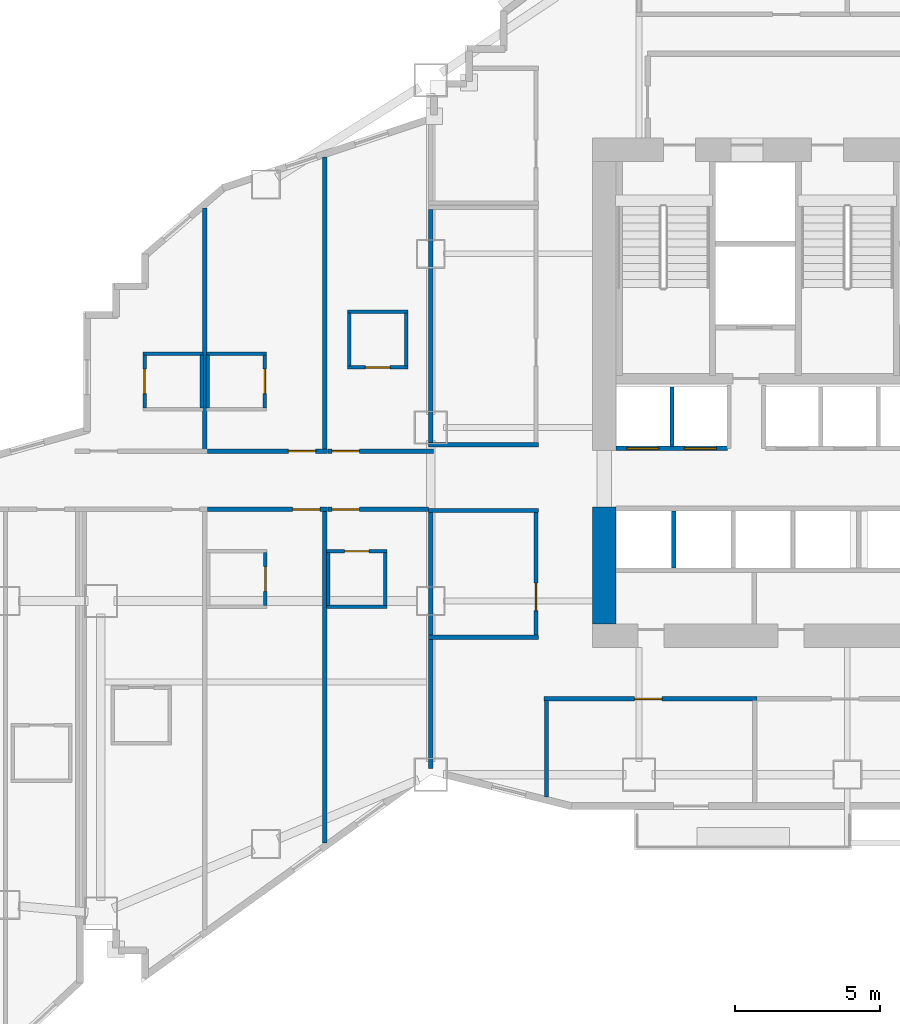
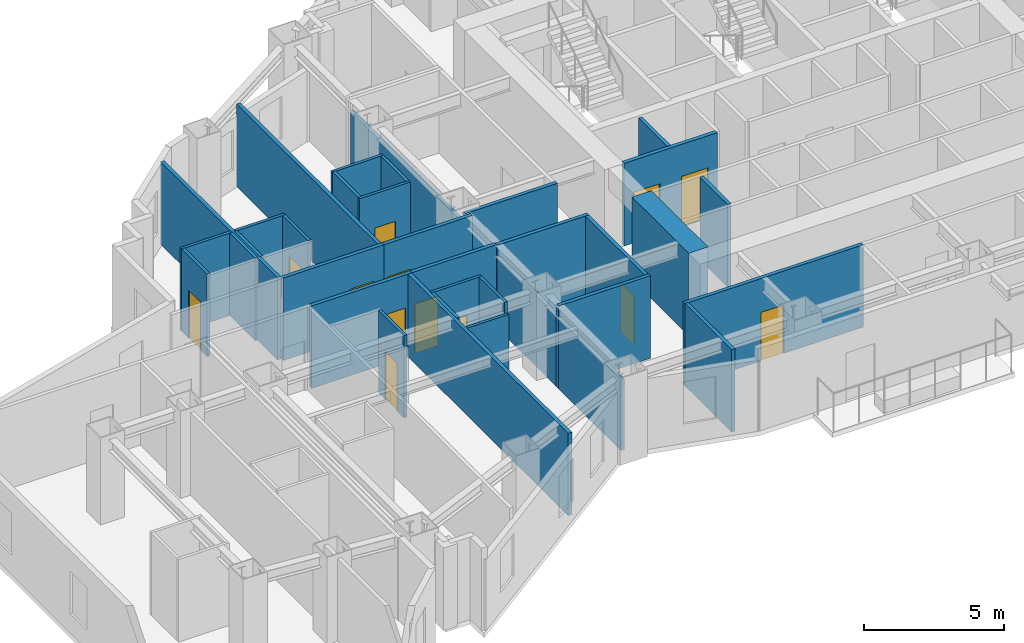
# One storey, part 8 of 16: 35 walls, 13 doors, 13 openings.
"""IFC4 building model written with IfcOpenShell, lengths in metres."""

import ifcopenshell
import ifcopenshell.guid

model = None  # the IFC model being written
_history = None  # IfcOwnerHistory: only IFC2X3 demands one
_inside = {}  # id of a spatial element -> (the spatial element, [elements in it])
_under = {}  # id of a project, library or spatial element -> (it, [spatial elements below it])
_declared = {}  # id of a project -> (the project, [libraries it declares])
_typed = {}  # id of a type object -> (the type object, [elements of that type])
_made_of = {}  # id of a material, layer set ... -> (it, [elements and type objects made of it])


def new_model(schema):
    """Start an empty IFC model of exactly this schema.

    Asked for "IFC4X3", IfcOpenShell would pick the latest addendum, in which some entities
    have other attributes; the version numbers below select the first issue.
    IFC2X3 requires an IfcOwnerHistory on every rooted entity: one is made here for all.
    """
    global model, _history
    if schema == "IFC4X3":
        model = ifcopenshell.file(schema_version=(4, 3, 0, 0))
    else:
        model = ifcopenshell.file(schema=schema)
    _inside.clear()
    _under.clear()
    _declared.clear()
    _typed.clear()
    _made_of.clear()
    _history = None
    if model.schema == "IFC2X3":
        org = make("IfcOrganization", Name="unknown")
        user = make(
            "IfcPersonAndOrganization",
            ThePerson=make("IfcPerson", FamilyName="unknown"),
            TheOrganization=org,
        )
        app = make(
            "IfcApplication",
            ApplicationDeveloper=org,
            Version="unknown",
            ApplicationFullName="unknown",
            ApplicationIdentifier="unknown",
        )
        _history = make(
            "IfcOwnerHistory",
            OwningUser=user,
            OwningApplication=app,
            ChangeAction="ADDED",
            CreationDate=0,
        )
    return model


def make(cls, **values):
    """One entity of the class cls with the attributes given. An attribute that is None is left unset."""
    return model.create_entity(
        cls, **{name: value for name, value in values.items() if value is not None}
    )


def rooted(cls, **values):
    """An entity with a GlobalId (a new one), such as an element, a storey or a relation."""
    return make(cls, GlobalId=ifcopenshell.guid.new(), OwnerHistory=_history, **values)


def si_unit(unit_type, name, prefix=None):
    """IfcSIUnit, for example si_unit("LENGTHUNIT", "METRE", prefix="MILLI")."""
    return make("IfcSIUnit", UnitType=unit_type, Prefix=prefix, Name=name)


def assignment(units):
    """IfcUnitAssignment: the units of a project."""
    return None if units is None else make("IfcUnitAssignment", Units=units)


def point(xyz):
    """IfcCartesianPoint."""
    return None if xyz is None else make("IfcCartesianPoint", Coordinates=xyz)


def direction(xyz):
    """IfcDirection."""
    return None if xyz is None else make("IfcDirection", DirectionRatios=xyz)


def frame(location, z_axis=None, x_axis=None):
    """IfcAxis2Placement3D, a coordinate frame: its origin and axes. An axis left out is left unset."""
    return make(
        "IfcAxis2Placement3D",
        Location=point(location),
        Axis=direction(z_axis),
        RefDirection=direction(x_axis),
    )


def frame_2d(location, x_axis=None):
    """IfcAxis2Placement2D, a coordinate frame in the plane: its origin and x axis."""
    return make(
        "IfcAxis2Placement2D", Location=point(location), RefDirection=direction(x_axis)
    )


def origin():
    """The frame at (0, 0, 0) with its axes left unset."""
    return frame((0.0, 0.0, 0.0))


def place(relative_to, where):
    """IfcLocalPlacement: puts the frame where relative to a parent placement (None: the world)."""
    return make(
        "IfcLocalPlacement", PlacementRelTo=relative_to, RelativePlacement=where
    )


def context(
    kind, dimensions, precision=None, world=None, true_north=None, identifier=None
):
    """IfcGeometricRepresentationContext, for example the 3D "Model" context."""
    return make(
        "IfcGeometricRepresentationContext",
        ContextIdentifier=identifier,
        ContextType=kind,
        CoordinateSpaceDimension=dimensions,
        Precision=precision,
        WorldCoordinateSystem=world,
        TrueNorth=true_north,
    )


def subcontext(parent, identifier, kind, view, scale=None):
    """IfcGeometricRepresentationSubContext, for example "Body" below "Model"."""
    return make(
        "IfcGeometricRepresentationSubContext",
        ContextIdentifier=identifier,
        ContextType=kind,
        ParentContext=parent,
        TargetScale=scale,
        TargetView=view,
    )


def project(units=None, contexts=None):
    """IfcProject with its units and contexts."""
    return rooted(
        "IfcProject",
        Name="project",
        RepresentationContexts=contexts,
        UnitsInContext=assignment(units),
    )


def spatial(cls, under=None, at=None, **own):
    """A site, building, storey or space (cls), placed at a placement, below another one or the project."""
    s = rooted(cls, ObjectPlacement=at, **own)
    if under is not None:
        _under.setdefault(under.id(), (under, []))[1].append(s)
    return s


def profile(cls, at=None, kind="AREA", **sizes):
    """A parametric profile (cls). Its sizes go by their IFC names, for example OverallWidth=200.0."""
    return make(cls, ProfileType=kind, Position=at, **sizes)


def rectangle(**sizes):
    """IfcRectangleProfileDef."""
    return profile("IfcRectangleProfileDef", **sizes)


def extrude(swept, where, along, depth):
    """IfcExtrudedAreaSolid: the profile swept, set in the frame where, extruded along a direction by depth."""
    return make(
        "IfcExtrudedAreaSolid",
        SweptArea=swept,
        Position=where,
        ExtrudedDirection=direction(along),
        Depth=depth,
    )


def shape(context_of_items, identifier, shape_type, items):
    """IfcShapeRepresentation: the items that make up one representation, for example the "Body"."""
    return make(
        "IfcShapeRepresentation",
        ContextOfItems=context_of_items,
        RepresentationIdentifier=identifier,
        RepresentationType=shape_type,
        Items=items,
    )


def material(Name=None, Category=None):
    """IfcMaterial."""
    return make("IfcMaterial", Name=Name, Category=Category)


def layer(
    of_material, thickness, ventilated=None, Name=None, Category=None, Priority=None
):
    """IfcMaterialLayer: one layer of a wall or slab, of a material (None: an air gap)."""
    return make(
        "IfcMaterialLayer",
        Material=of_material,
        LayerThickness=thickness,
        IsVentilated=ventilated,
        Name=Name,
        Category=Category,
        Priority=Priority,
    )


def layer_set(layers, Name=None):
    """IfcMaterialLayerSet."""
    return make("IfcMaterialLayerSet", MaterialLayers=layers, LayerSetName=Name)


def made_of(thing, what):
    """Note that an element or type object is made of a material, layer set ...; save() writes the relation."""
    if what is not None:
        _made_of.setdefault(what.id(), (what, []))[1].append(thing)
    return thing


def type_object(cls, material=None, **own):
    """A type object (cls), such as IfcWallType, which elements share."""
    return made_of(rooted(cls, **own), material)


def element(
    cls,
    number,
    at=None,
    inside=None,
    cuts=None,
    type_object=None,
    material=None,
    context=None,
    identifier="Body",
    shape_type=None,
    held_by="IfcProductDefinitionShape",
    body=None,
    shapes=None,
    **own,
):
    """One element of the class cls, such as IfcWall. Its Tag is "e" and its number.

    at: its placement. inside: the storey or other place that contains it. cuts: it is an
    opening in that element (IfcRelVoidsElement). A single representation is given by context,
    identifier, shape_type and body (its items); several are given by shapes. held_by: the class
    of the entity that holds the representations. save() writes the other relations.
    """
    e = rooted(cls, Tag="e%d" % number, ObjectPlacement=at, **own)
    if body is not None:
        shapes = [shape(context, identifier, shape_type, body)]
    if shapes is not None:
        e.Representation = make(held_by, Representations=shapes)
    if inside is not None:
        _inside.setdefault(inside.id(), (inside, []))[1].append(e)
    if cuts is not None:
        rooted(
            "IfcRelVoidsElement", RelatingBuildingElement=cuts, RelatedOpeningElement=e
        )
    if type_object is not None:
        _typed.setdefault(type_object.id(), (type_object, []))[1].append(e)
    return made_of(e, material)


def fill(opening, filler):
    """IfcRelFillsElement: the door or window that sits in an opening."""
    return rooted(
        "IfcRelFillsElement",
        RelatingOpeningElement=opening,
        RelatedBuildingElement=filler,
    )


def aggregate(whole, parts):
    """IfcRelAggregates: a whole, such as a stair, and the parts it consists of."""
    return rooted("IfcRelAggregates", RelatingObject=whole, RelatedObjects=parts)


def save(model, path):
    """Write the relations noted so far, then the file.

    IfcRelAggregates (storeys below a building ...), IfcRelContainedInSpatialStructure (elements
    in a storey), IfcRelDefinesByType, IfcRelAssociatesMaterial and IfcRelDeclares: one each for
    every whole, place, type object, material and project.
    """
    for whole, parts in _under.values():
        aggregate(whole, parts)
    for where, things in _inside.values():
        rooted(
            "IfcRelContainedInSpatialStructure",
            RelatedElements=things,
            RelatingStructure=where,
        )
    for kind, things in _typed.values():
        rooted("IfcRelDefinesByType", RelatedObjects=things, RelatingType=kind)
    for what, things in _made_of.values():
        rooted("IfcRelAssociatesMaterial", RelatedObjects=things, RelatingMaterial=what)
    for by, libraries in _declared.values():
        rooted("IfcRelDeclares", RelatingContext=by, RelatedDefinitions=libraries)
    model.write(path)


model = new_model("IFC4")

# Units and contexts
model_context = context("Model", 3, precision=1e-05, world=origin(), true_north=direction((0.0, 1.0)))
body_context = subcontext(model_context, "Body", "Model", "MODEL_VIEW")
ifc_project = project(units=[si_unit("LENGTHUNIT", "METRE"), si_unit("AREAUNIT", "SQUARE_METRE"), si_unit("VOLUMEUNIT", "CUBIC_METRE"), si_unit("PLANEANGLEUNIT", "RADIAN"), si_unit("MASSUNIT", "GRAM", prefix="KILO")], contexts=[model_context])

# Site, building, storey
site_placement = place(None, origin())
site = spatial("IfcSite", under=ifc_project, at=site_placement, CompositionType="ELEMENT")
building_placement = place(site_placement, origin())
building = spatial("IfcBuilding", under=site, at=building_placement, Name="Haolan Belvedere Tower", CompositionType="ELEMENT")
storey_placement = place(building_placement, frame((0.0, 0.0, 78.0)))
storey = spatial("IfcBuildingStorey", under=building, at=storey_placement, Name="L19", CompositionType="ELEMENT", Elevation=78.0)

# Walls
ifc_material_1 = material(Name="Concrete C70/85", Category="concrete")
ifc_layer_1 = layer(ifc_material_1, 0.800048828125, Name="Concrete C70/85")
ifc_layer_set_1 = layer_set([ifc_layer_1], Name="Concrete C70/85")
wall_type_1 = type_object("IfcWallType", Name="WL-CORE-800", PredefinedType="SHEAR", material=ifc_layer_set_1)
wall_1_placement = place(storey_placement, frame((30.0, 26.800048828125, 0.0), z_axis=(0.0, 0.0, 1.0), x_axis=(0.0, 1.0, 0.0)))
element("IfcWall", 1, at=wall_1_placement, inside=storey, type_object=wall_type_1, Name="L19 central core shear wall WS", PredefinedType="SHEAR", context=body_context, shape_type="SweptSolid", body=[
    extrude(rectangle(XDim=4.050048828125, YDim=0.800048828125, at=frame_2d((2.02490234375, 0.0))), origin(), (0.0, 0.0, 1.0), 3.60009765625),
])
ifc_material_2 = material(Name="Double gypsum acoustic stud partition", Category="masonry")
ifc_layer_2 = layer(ifc_material_2, 0.14990234375, Name="Double gypsum acoustic stud partition")
ifc_layer_set_2 = layer_set([ifc_layer_2], Name="Double gypsum acoustic stud partition")
wall_type_2 = type_object("IfcWallType", Name="WL-PART-150", PredefinedType="PARTITIONING", material=ifc_layer_set_2)
wall_2_placement = place(storey_placement, frame((23.919921875, 33.0, 0.0), z_axis=(0.0, 0.0, 1.0), x_axis=(1.0, 0.0, 0.0)))
element("IfcWall", 2, at=wall_2_placement, inside=storey, type_object=wall_type_2, Name="L19 interior partition IW-L19-SAL-S", PredefinedType="PARTITIONING", context=body_context, shape_type="SweptSolid", body=[
    extrude(rectangle(XDim=3.800048828125, YDim=0.14990234375, at=frame_2d((1.89990234375, 0.0))), origin(), (0.0, 0.0, 1.0), 3.60009765625),
])
wall_3_placement = place(storey_placement, frame((24.0, 33.06005859375, 0.0), z_axis=(0.0, 0.0, 1.0), x_axis=(0.0, 1.0, 0.0)))
element("IfcWall", 3, at=wall_3_placement, inside=storey, type_object=wall_type_2, Name="L19 interior partition IW-L19-SAL-W", PredefinedType="PARTITIONING", context=body_context, shape_type="SweptSolid", body=[
    extrude(rectangle(XDim=8.079833984375, YDim=0.14990234375, at=frame_2d((4.0400390625, 0.0))), origin(), (0.0, 0.0, 1.0), 3.096923828125),
])
for number, where, z_axis, x_axis, name in (
    (4, (23.919921875, 30.72998046875, 0.0), (0.0, 0.0, 1.0), (1.0, 0.0, 0.0), "L19 interior partition IW-L19-PKTW-N"),
    (5, (23.919921875, 26.35009765625, 0.0), (0.0, 0.0, 1.0), (1.0, 0.0, 0.0), "L19 interior partition IW-L19-PKTW-S"),
):
    element("IfcWall", number, at=place(storey_placement, frame(where, z_axis=z_axis, x_axis=x_axis)), inside=storey, type_object=wall_type_2, Name=name, PredefinedType="PARTITIONING", context=body_context, shape_type="SweptSolid", body=[
        extrude(rectangle(XDim=3.800048828125, YDim=0.14990234375, at=frame_2d((1.89990234375, 0.0))), origin(), (0.0, 0.0, 1.0), 3.60009765625),
    ])
wall_4_placement = place(storey_placement, frame((24.0, 26.409912109375, 0.0), z_axis=(0.0, 0.0, 1.0), x_axis=(0.0, 1.0, 0.0)))
element("IfcWall", 6, at=wall_4_placement, inside=storey, type_object=wall_type_2, Name="L19 interior partition IW-L19-PKTW-W", PredefinedType="PARTITIONING", context=body_context, shape_type="SweptSolid", body=[
    extrude(rectangle(XDim=4.260009765625, YDim=0.14990234375, at=frame_2d((2.1298828125, 0.0))), origin(), (0.0, 0.0, 1.0), 3.096923828125),
])

# Wall, opening, door
wall_5_placement = place(storey_placement, frame((27.639892578125, 26.409912109375, 0.0), z_axis=(0.0, 0.0, 1.0), x_axis=(0.0, 1.0, 0.0)))
wall_5 = element("IfcWall", 7, at=wall_5_placement, inside=storey, type_object=wall_type_2, Name="L19 interior partition IW-L19-PKTW-E", PredefinedType="PARTITIONING", context=body_context, shape_type="SweptSolid", body=[
    extrude(rectangle(XDim=4.260009765625, YDim=0.14990234375, at=frame_2d((2.1298828125, 0.0))), origin(), (0.0, 0.0, 1.0), 3.60009765625),
])
opening_1_placement = place(wall_5_placement, frame((1.81005859375, 0.0, 0.0), z_axis=(0.0, 0.0, 1.0), x_axis=(-1.0, 0.0, 0.0)))
opening_1 = element("IfcOpeningElement", 8, at=opening_1_placement, cuts=wall_5, Name="Opening ID-03", PredefinedType="OPENING", context=body_context, shape_type="SweptSolid", body=[
    extrude(rectangle(XDim=0.949951171875, YDim=2.1201171875, at=frame_2d((0.47509765625, 1.06005859375))), frame((0.0, 0.0849609375, 0.0), z_axis=(0.0, -1.0, 0.0), x_axis=(1.0, 0.0, 0.0)), (0.0, 0.0, 1.0), 0.169921875),
])
ifc_material_3 = material(Name="Painted solid-core timber", Category="wood")
door_type_1 = type_object("IfcDoorType", Name="DR-INT-950", OperationType="NOTDEFINED", PredefinedType="DOOR", material=ifc_material_3)
door_1_placement = place(opening_1_placement, origin())
door_1 = element("IfcDoor", 9, at=door_1_placement, inside=storey, type_object=door_type_1, Name="L19 door ID-L19-PKTW", OperationType="SINGLE_SWING_LEFT", OverallHeight=2.1201171875, OverallWidth=0.949951171875, PredefinedType="DOOR", context=body_context, shape_type="SweptSolid", body=[
    extrude(rectangle(XDim=0.949951171875, YDim=2.1201171875, at=frame_2d((0.47509765625, 1.06005859375))), frame((0.0, 0.02490234375, 0.0), z_axis=(0.0, -1.0, 0.0), x_axis=(1.0, 0.0, 0.0)), (0.0, 0.0, 1.0), 0.050048828125),
])
fill(opening_1, door_1)

wall_6_placement = place(storey_placement, frame((27.919921875, 24.219970703125, 0.0), z_axis=(0.0, 0.0, 1.0), x_axis=(1.0, 0.0, 0.0)))
wall_6 = element("IfcWall", 10, at=wall_6_placement, inside=storey, type_object=wall_type_2, Name="L19 interior partition IW-L19-KS2-N", PredefinedType="PARTITIONING", context=body_context, shape_type="SweptSolid", body=[
    extrude(rectangle(XDim=7.360107421875, YDim=0.14990234375, at=frame_2d((3.68017578125, 0.0))), origin(), (0.0, 0.0, 1.0), 3.60009765625),
])
opening_2_placement = place(wall_6_placement, frame((4.074951171875, 0.0, 0.0), z_axis=(0.0, 0.0, 1.0), x_axis=(-1.0, 0.0, 0.0)))
opening_2 = element("IfcOpeningElement", 11, at=opening_2_placement, cuts=wall_6, Name="Opening ID-03", PredefinedType="OPENING", context=body_context, shape_type="SweptSolid", body=[
    extrude(rectangle(XDim=0.949951171875, YDim=2.1201171875, at=frame_2d((0.47509765625, 1.06005859375))), frame((0.0, 0.0849609375, 0.0), z_axis=(0.0, -1.0, 0.0), x_axis=(1.0, 0.0, 0.0)), (0.0, 0.0, 1.0), 0.169921875),
])
door_2_placement = place(opening_2_placement, origin())
door_2 = element("IfcDoor", 12, at=door_2_placement, inside=storey, type_object=door_type_1, Name="L19 door ID-L19-KS2", OperationType="SINGLE_SWING_RIGHT", OverallHeight=2.1201171875, OverallWidth=0.949951171875, PredefinedType="DOOR", context=body_context, shape_type="SweptSolid", body=[
    extrude(rectangle(XDim=0.949951171875, YDim=2.1201171875, at=frame_2d((0.47509765625, 1.06005859375))), frame((0.0, 0.02490234375, 0.0), z_axis=(0.0, -1.0, 0.0), x_axis=(1.0, 0.0, 0.0)), (0.0, 0.0, 1.0), 0.050048828125),
])
fill(opening_2, door_2)

# Walls
wall_7_placement = place(storey_placement, frame((28.0, 20.83203125, 0.0), z_axis=(0.0, 0.0, 1.0), x_axis=(0.0, 1.0, 0.0)))
element("IfcWall", 13, at=wall_7_placement, inside=storey, type_object=wall_type_2, Name="L19 interior partition IW-L19-KS2-W", PredefinedType="PARTITIONING", context=body_context, shape_type="SweptSolid", body=[
    extrude(rectangle(XDim=3.327880859375, YDim=0.14990234375, at=frame_2d((1.6640625, 0.0))), origin(), (0.0, 0.0, 1.0), 3.60009765625),
])
wall_8_placement = place(storey_placement, frame((16.18994140625, 32.840087890625, 0.0), z_axis=(0.0, 0.0, 1.0), x_axis=(0.0, 1.0, 0.0)))
element("IfcWall", 14, at=wall_8_placement, inside=storey, type_object=wall_type_2, Name="L19 interior partition IW-L19-T2N1-E", PredefinedType="PARTITIONING", context=body_context, shape_type="SweptSolid", body=[
    extrude(rectangle(XDim=8.3408203125, YDim=0.14990234375, at=frame_2d((4.17041015625, 0.0))), origin(), (0.0, 0.0, 1.0), 3.60009765625),
])

# Wall, opening, door
wall_9_placement = place(storey_placement, frame((16.2919921875, 32.780029296875, 0.0), z_axis=(0.0, 0.0, 1.0), x_axis=(1.0, 0.0, 0.0)))
wall_9 = element("IfcWall", 15, at=wall_9_placement, inside=storey, type_object=wall_type_2, Name="L19 interior partition IW-L19-T2N2-S", PredefinedType="PARTITIONING", context=body_context, shape_type="SweptSolid", body=[
    extrude(rectangle(XDim=4.14794921875, YDim=0.14990234375, at=frame_2d((2.073974609375, 0.0))), origin(), (0.0, 0.0, 1.0), 3.60009765625),
])
opening_3_placement = place(wall_9_placement, frame((2.7841796875, 0.0, 0.0)))
opening_3 = element("IfcOpeningElement", 16, at=opening_3_placement, cuts=wall_9, Name="Opening ID-02", PredefinedType="OPENING", context=body_context, shape_type="SweptSolid", body=[
    extrude(rectangle(XDim=0.949951171875, YDim=2.14990234375, at=frame_2d((0.47509765625, 1.074951171875))), frame((0.0, 0.0849609375, 0.0), z_axis=(0.0, -1.0, 0.0), x_axis=(1.0, 0.0, 0.0)), (0.0, 0.0, 1.0), 0.169921875),
])
ifc_material_4 = material(Name="Acoustic oak veneer fire-rated timber", Category="wood")
door_type_2 = type_object("IfcDoorType", Name="DR-GUEST-950", OperationType="NOTDEFINED", PredefinedType="DOOR", material=ifc_material_4)
door_3_placement = place(opening_3_placement, origin())
door_3 = element("IfcDoor", 17, at=door_3_placement, inside=storey, type_object=door_type_2, Name="L19 door ID-L19-T2N2-ENT", OperationType="SINGLE_SWING_RIGHT", OverallHeight=2.14990234375, OverallWidth=0.949951171875, PredefinedType="DOOR", context=body_context, shape_type="SweptSolid", body=[
    extrude(rectangle(XDim=0.949951171875, YDim=2.14990234375, at=frame_2d((0.47509765625, 1.074951171875))), frame((0.0, 0.02490234375, 0.0), z_axis=(0.0, -1.0, 0.0), x_axis=(1.0, 0.0, 0.0)), (0.0, 0.0, 1.0), 0.050048828125),
])
fill(opening_3, door_3)

# Wall
wall_10_placement = place(storey_placement, frame((20.340087890625, 32.840087890625, 0.0), z_axis=(0.0, 0.0, 1.0), x_axis=(0.0, 1.0, 0.0)))
element("IfcWall", 18, at=wall_10_placement, inside=storey, type_object=wall_type_2, Name="L19 interior partition IW-L19-T2N2-E", PredefinedType="PARTITIONING", context=body_context, shape_type="SweptSolid", body=[
    extrude(rectangle(XDim=10.102783203125, YDim=0.14990234375, at=frame_2d((5.05126953125, 0.0))), origin(), (0.0, 0.0, 1.0), 3.60009765625),
])

# Wall, opening, door
wall_11_placement = place(storey_placement, frame((20.44189453125, 32.780029296875, 0.0), z_axis=(0.0, 0.0, 1.0), x_axis=(1.0, 0.0, 0.0)))
wall_11 = element("IfcWall", 19, at=wall_11_placement, inside=storey, type_object=wall_type_2, Name="L19 interior partition IW-L19-T2N3-S", PredefinedType="PARTITIONING", context=body_context, shape_type="SweptSolid", body=[
    extrude(rectangle(XDim=3.658203125, YDim=0.14990234375, at=frame_2d((1.8291015625, 0.0))), origin(), (0.0, 0.0, 1.0), 3.60009765625),
])
opening_4_placement = place(wall_11_placement, frame((0.139892578125, 0.0, 0.0)))
opening_4 = element("IfcOpeningElement", 20, at=opening_4_placement, cuts=wall_11, Name="Opening ID-02", PredefinedType="OPENING", context=body_context, shape_type="SweptSolid", body=[
    extrude(rectangle(XDim=0.949951171875, YDim=2.14990234375, at=frame_2d((0.47509765625, 1.074951171875))), frame((0.0, 0.0849609375, 0.0), z_axis=(0.0, -1.0, 0.0), x_axis=(1.0, 0.0, 0.0)), (0.0, 0.0, 1.0), 0.169921875),
])
door_4_placement = place(opening_4_placement, origin())
door_4 = element("IfcDoor", 21, at=door_4_placement, inside=storey, type_object=door_type_2, Name="L19 door ID-L19-T2N3-ENT", OperationType="SINGLE_SWING_LEFT", OverallHeight=2.14990234375, OverallWidth=0.949951171875, PredefinedType="DOOR", context=body_context, shape_type="SweptSolid", body=[
    extrude(rectangle(XDim=0.949951171875, YDim=2.14990234375, at=frame_2d((0.47509765625, 1.074951171875))), frame((0.0, 0.02490234375, 0.0), z_axis=(0.0, -1.0, 0.0), x_axis=(1.0, 0.0, 0.0)), (0.0, 0.0, 1.0), 0.050048828125),
])
fill(opening_4, door_4)

wall_12_placement = place(storey_placement, frame((16.2919921875, 30.77001953125, 0.0), z_axis=(0.0, 0.0, 1.0), x_axis=(1.0, 0.0, 0.0)))
wall_12 = element("IfcWall", 22, at=wall_12_placement, inside=storey, type_object=wall_type_2, Name="L19 interior partition IW-L19-T2S2-N", PredefinedType="PARTITIONING", context=body_context, shape_type="SweptSolid", body=[
    extrude(rectangle(XDim=4.14794921875, YDim=0.14990234375, at=frame_2d((2.073974609375, 0.0))), origin(), (0.0, 0.0, 1.0), 3.60009765625),
])
opening_5_placement = place(wall_12_placement, frame((3.88525390625, 0.0, 0.0), z_axis=(0.0, 0.0, 1.0), x_axis=(-1.0, 0.0, 0.0)))
opening_5 = element("IfcOpeningElement", 23, at=opening_5_placement, cuts=wall_12, Name="Opening ID-02", PredefinedType="OPENING", context=body_context, shape_type="SweptSolid", body=[
    extrude(rectangle(XDim=0.949951171875, YDim=2.14990234375, at=frame_2d((0.47509765625, 1.074951171875))), frame((0.0, 0.0849609375, 0.0), z_axis=(0.0, -1.0, 0.0), x_axis=(1.0, 0.0, 0.0)), (0.0, 0.0, 1.0), 0.169921875),
])
door_5_placement = place(opening_5_placement, origin())
door_5 = element("IfcDoor", 24, at=door_5_placement, inside=storey, type_object=door_type_2, Name="L19 door ID-L19-T2S2-ENT", OperationType="SINGLE_SWING_LEFT", OverallHeight=2.14990234375, OverallWidth=0.949951171875, PredefinedType="DOOR", context=body_context, shape_type="SweptSolid", body=[
    extrude(rectangle(XDim=0.949951171875, YDim=2.14990234375, at=frame_2d((0.47509765625, 1.074951171875))), frame((0.0, 0.02490234375, 0.0), z_axis=(0.0, -1.0, 0.0), x_axis=(1.0, 0.0, 0.0)), (0.0, 0.0, 1.0), 0.050048828125),
])
fill(opening_5, door_5)

# Wall
wall_13_placement = place(storey_placement, frame((20.340087890625, 19.241943359375, 0.0), z_axis=(0.0, 0.0, 1.0), x_axis=(0.0, 1.0, 0.0)))
element("IfcWall", 25, at=wall_13_placement, inside=storey, type_object=wall_type_2, Name="L19 interior partition IW-L19-T2S2-E", PredefinedType="PARTITIONING", context=body_context, shape_type="SweptSolid", body=[
    extrude(rectangle(XDim=11.468017578125, YDim=0.14990234375, at=frame_2d((5.73388671875, 0.0))), origin(), (0.0, 0.0, 1.0), 3.60009765625),
])

# Wall, opening, door
wall_14_placement = place(storey_placement, frame((20.44189453125, 30.77001953125, 0.0), z_axis=(0.0, 0.0, 1.0), x_axis=(1.0, 0.0, 0.0)))
wall_14 = element("IfcWall", 26, at=wall_14_placement, inside=storey, type_object=wall_type_2, Name="L19 interior partition IW-L19-T2S3-N", PredefinedType="PARTITIONING", context=body_context, shape_type="SweptSolid", body=[
    extrude(rectangle(XDim=3.47607421875, YDim=0.14990234375, at=frame_2d((1.738037109375, 0.0))), origin(), (0.0, 0.0, 1.0), 3.60009765625),
])
opening_6_placement = place(wall_14_placement, frame((1.08984375, 0.0, 0.0), z_axis=(0.0, 0.0, 1.0), x_axis=(-1.0, 0.0, 0.0)))
opening_6 = element("IfcOpeningElement", 27, at=opening_6_placement, cuts=wall_14, Name="Opening ID-02", PredefinedType="OPENING", context=body_context, shape_type="SweptSolid", body=[
    extrude(rectangle(XDim=0.949951171875, YDim=2.14990234375, at=frame_2d((0.47509765625, 1.074951171875))), frame((0.0, 0.0849609375, 0.0), z_axis=(0.0, -1.0, 0.0), x_axis=(1.0, 0.0, 0.0)), (0.0, 0.0, 1.0), 0.169921875),
])
door_6_placement = place(opening_6_placement, origin())
door_6 = element("IfcDoor", 28, at=door_6_placement, inside=storey, type_object=door_type_2, Name="L19 door ID-L19-T2S3-ENT", OperationType="SINGLE_SWING_RIGHT", OverallHeight=2.14990234375, OverallWidth=0.949951171875, PredefinedType="DOOR", context=body_context, shape_type="SweptSolid", body=[
    extrude(rectangle(XDim=0.949951171875, YDim=2.14990234375, at=frame_2d((0.47509765625, 1.074951171875))), frame((0.0, 0.02490234375, 0.0), z_axis=(0.0, -1.0, 0.0), x_axis=(1.0, 0.0, 0.0)), (0.0, 0.0, 1.0), 0.050048828125),
])
fill(opening_6, door_6)

# Wall
wall_15_placement = place(storey_placement, frame((24.0, 21.818603515625, 0.0), z_axis=(0.0, 0.0, 1.0), x_axis=(0.0, 1.0, 0.0)))
element("IfcWall", 29, at=wall_15_placement, inside=storey, type_object=wall_type_2, Name="L19 interior partition IW-L19-T2S3-E", PredefinedType="PARTITIONING", context=body_context, shape_type="SweptSolid", body=[
    extrude(rectangle(XDim=4.471435546875, YDim=0.14990234375, at=frame_2d((2.23583984375, 0.0))), origin(), (0.0, 0.0, 1.0), 3.096923828125),
])

# Wall, openings, doors
ifc_material_5 = material(Name="Gypsum fire shaftwall assembly", Category="masonry")
ifc_layer_3 = layer(ifc_material_5, 0.1650390625, Name="Gypsum fire shaftwall assembly")
ifc_layer_set_3 = layer_set([ifc_layer_3], Name="Gypsum fire shaftwall assembly")
wall_type_3 = type_object("IfcWallType", Name="WL-SHAFT-160", PredefinedType="SOLIDWALL", material=ifc_layer_set_3)
wall_16_placement = place(storey_placement, frame((30.39990234375, 32.8798828125, 0.0), z_axis=(0.0, 0.0, 1.0), x_axis=(1.0, 0.0, 0.0)))
wall_16 = element("IfcWall", 30, at=wall_16_placement, inside=storey, type_object=wall_type_3, Name="L19 interior partition IW-L19-ROW-PN1", PredefinedType="SOLIDWALL", context=body_context, shape_type="SweptSolid", body=[
    extrude(rectangle(XDim=3.85009765625, YDim=0.159912109375, at=frame_2d((1.925048828125, 0.0))), origin(), (0.0, 0.0, 1.0), 3.60009765625),
])
opening_7_placement = place(wall_16_placement, frame((1.47998046875, 0.0, 0.0), z_axis=(0.0, 0.0, 1.0), x_axis=(-1.0, 0.0, 0.0)))
opening_7 = element("IfcOpeningElement", 31, at=opening_7_placement, cuts=wall_16, Name="Opening LD-01", PredefinedType="OPENING", context=body_context, shape_type="SweptSolid", body=[
    extrude(rectangle(XDim=1.10009765625, YDim=2.199951171875, at=frame_2d((0.550048828125, 1.10009765625))), frame((0.0, 0.08984375, 0.0), z_axis=(0.0, -1.0, 0.0), x_axis=(1.0, 0.0, 0.0)), (0.0, 0.0, 1.0), 0.179931640625),
])
opening_8_placement = place(wall_16_placement, frame((3.47021484375, 0.0, 0.0), z_axis=(0.0, 0.0, 1.0), x_axis=(-1.0, 0.0, 0.0)))
opening_8 = element("IfcOpeningElement", 32, at=opening_8_placement, cuts=wall_16, Name="Opening LD-01", PredefinedType="OPENING", context=body_context, shape_type="SweptSolid", body=[
    extrude(rectangle(XDim=1.10009765625, YDim=2.199951171875, at=frame_2d((0.550048828125, 1.10009765625))), frame((0.0, 0.08984375, 0.0), z_axis=(0.0, -1.0, 0.0), x_axis=(1.0, 0.0, 0.0)), (0.0, 0.0, 1.0), 0.179931640625),
])
ifc_material_6 = material(Name="Brushed champagne stainless steel 316L", Category="steel")
door_type_3 = type_object("IfcDoorType", Name="DR-LIFT-1100", OperationType="SLIDING_TO_LEFT", PredefinedType="DOOR", material=ifc_material_6)
door_7_placement = place(opening_7_placement, origin())
door_7 = element("IfcDoor", 33, at=door_7_placement, inside=storey, type_object=door_type_3, Name="L19 door ID-L19-LD-PL1", OperationType="SLIDING_TO_LEFT", OverallHeight=2.199951171875, OverallWidth=1.10009765625, PredefinedType="DOOR", context=body_context, shape_type="SweptSolid", body=[
    extrude(rectangle(XDim=1.10009765625, YDim=2.199951171875, at=frame_2d((0.550048828125, 1.10009765625))), frame((0.0, 0.02490234375, 0.0), z_axis=(0.0, -1.0, 0.0), x_axis=(1.0, 0.0, 0.0)), (0.0, 0.0, 1.0), 0.050048828125),
])
fill(opening_7, door_7)
door_8_placement = place(opening_8_placement, origin())
door_8 = element("IfcDoor", 34, at=door_8_placement, inside=storey, type_object=door_type_3, Name="L19 door ID-L19-LD-PL2", OperationType="SLIDING_TO_LEFT", OverallHeight=2.199951171875, OverallWidth=1.10009765625, PredefinedType="DOOR", context=body_context, shape_type="SweptSolid", body=[
    extrude(rectangle(XDim=1.10009765625, YDim=2.199951171875, at=frame_2d((0.550048828125, 1.10009765625))), frame((0.0, 0.02490234375, 0.0), z_axis=(0.0, -1.0, 0.0), x_axis=(1.0, 0.0, 0.0)), (0.0, 0.0, 1.0), 0.050048828125),
])
fill(opening_8, door_8)

# Walls
wall_17_placement = place(storey_placement, frame((32.340087890625, 32.949951171875, 0.0), z_axis=(0.0, 0.0, 1.0), x_axis=(0.0, 1.0, 0.0)))
element("IfcWall", 35, at=wall_17_placement, inside=storey, type_object=wall_type_3, Name="L19 interior partition IW-L19-DIV-PL1", PredefinedType="SOLIDWALL", context=body_context, shape_type="SweptSolid", body=[
    extrude(rectangle(XDim=2.050048828125, YDim=0.14990234375, at=frame_2d((1.02490234375, 0.0))), origin(), (0.0, 0.0, 1.0), 3.60009765625),
])
wall_18_placement = place(storey_placement, frame((32.39990234375, 28.735107421875, 0.0), z_axis=(0.0, 0.0, 1.0), x_axis=(0.0, 1.0, 0.0)))
element("IfcWall", 36, at=wall_18_placement, inside=storey, type_object=wall_type_3, Name="L19 interior partition IW-L19-DIV-PM1", PredefinedType="SOLIDWALL", context=body_context, shape_type="SweptSolid", body=[
    extrude(rectangle(XDim=1.98486328125, YDim=0.14990234375, at=frame_2d((0.992431640625, 0.0))), origin(), (0.0, 0.0, 1.0), 3.60009765625),
])
ifc_material_7 = material(Name="Moisture-resistant gypsum tile partition", Category="masonry")
ifc_layer_4 = layer(ifc_material_7, 0.1201171875, Name="Moisture-resistant gypsum tile partition")
ifc_layer_set_4 = layer_set([ifc_layer_4], Name="Moisture-resistant gypsum tile partition")
wall_type_4 = type_object("IfcWallType", Name="WL-WET-120", PredefinedType="PARTITIONING", material=ifc_layer_set_4)
wall_19_placement = place(storey_placement, frame((14.050048828125, 36.14990234375, 0.0), z_axis=(0.0, 0.0, 1.0), x_axis=(1.0, 0.0, 0.0)))
element("IfcWall", 37, at=wall_19_placement, inside=storey, type_object=wall_type_4, Name="L19 interior partition IW-L19-T2N1-BN", PredefinedType="PARTITIONING", context=body_context, shape_type="SweptSolid", body=[
    extrude(rectangle(XDim=2.079833984375, YDim=0.1201171875, at=frame_2d((1.0400390625, 0.0))), origin(), (0.0, 0.0, 1.0), 3.60009765625),
])

# Wall, opening, door
wall_20_placement = place(storey_placement, frame((14.110107421875, 34.27490234375, 0.0), z_axis=(0.0, 0.0, 1.0), x_axis=(0.0, 1.0, 0.0)))
wall_20 = element("IfcWall", 38, at=wall_20_placement, inside=storey, type_object=wall_type_4, Name="L19 interior partition IW-L19-T2N1-BW", PredefinedType="PARTITIONING", context=body_context, shape_type="SweptSolid", body=[
    extrude(rectangle(XDim=1.830078125, YDim=0.1201171875, at=frame_2d((0.9150390625, 0.0))), origin(), (0.0, 0.0, 1.0), 3.60009765625),
])
opening_9_placement = place(wall_20_placement, frame((1.340087890625, 0.0, 0.0), z_axis=(0.0, 0.0, 1.0), x_axis=(-1.0, 0.0, 0.0)))
opening_9 = element("IfcOpeningElement", 39, at=opening_9_placement, cuts=wall_20, Name="Opening ID-05", PredefinedType="OPENING", context=body_context, shape_type="SweptSolid", body=[
    extrude(rectangle(XDim=0.85009765625, YDim=2.10009765625, at=frame_2d((0.425048828125, 1.050048828125))), frame((0.0, 0.070068359375, 0.0), z_axis=(0.0, -1.0, 0.0), x_axis=(1.0, 0.0, 0.0)), (0.0, 0.0, 1.0), 0.14013671875),
])
ifc_material_8 = material(Name="Moisture-resistant lacquered timber", Category="wood")
door_type_4 = type_object("IfcDoorType", Name="DR-BATH-850", OperationType="NOTDEFINED", PredefinedType="DOOR", material=ifc_material_8)
door_9_placement = place(opening_9_placement, origin())
door_9 = element("IfcDoor", 40, at=door_9_placement, inside=storey, type_object=door_type_4, Name="L19 door ID-L19-T2N1-BATH", OperationType="SINGLE_SWING_RIGHT", OverallHeight=2.10009765625, OverallWidth=0.85009765625, PredefinedType="DOOR", context=body_context, shape_type="SweptSolid", body=[
    extrude(rectangle(XDim=0.85009765625, YDim=2.10009765625, at=frame_2d((0.425048828125, 1.050048828125))), frame((0.0, 0.02490234375, 0.0), z_axis=(0.0, -1.0, 0.0), x_axis=(1.0, 0.0, 0.0)), (0.0, 0.0, 1.0), 0.050048828125),
])
fill(opening_9, door_9)

# Walls
wall_21_placement = place(storey_placement, frame((16.090087890625, 34.27490234375, 0.0), z_axis=(0.0, 0.0, 1.0), x_axis=(0.0, 1.0, 0.0)))
element("IfcWall", 41, at=wall_21_placement, inside=storey, type_object=wall_type_4, Name="L19 interior partition IW-L19-T2N1-BE", PredefinedType="PARTITIONING", context=body_context, shape_type="SweptSolid", body=[
    extrude(rectangle(XDim=1.830078125, YDim=0.1201171875, at=frame_2d((0.9150390625, 0.0))), origin(), (0.0, 0.0, 1.0), 3.60009765625),
])
wall_22_placement = place(storey_placement, frame((16.25, 36.14990234375, 0.0), z_axis=(0.0, 0.0, 1.0), x_axis=(1.0, 0.0, 0.0)))
element("IfcWall", 42, at=wall_22_placement, inside=storey, type_object=wall_type_4, Name="L19 interior partition IW-L19-T2N2-BN", PredefinedType="PARTITIONING", context=body_context, shape_type="SweptSolid", body=[
    extrude(rectangle(XDim=2.080078125, YDim=0.1201171875, at=frame_2d((1.0400390625, 0.0))), origin(), (0.0, 0.0, 1.0), 3.60009765625),
])
wall_23_placement = place(storey_placement, frame((16.2900390625, 34.27490234375, 0.0), z_axis=(0.0, 0.0, 1.0), x_axis=(0.0, 1.0, 0.0)))
element("IfcWall", 43, at=wall_23_placement, inside=storey, type_object=wall_type_4, Name="L19 interior partition IW-L19-T2N2-BW", PredefinedType="PARTITIONING", context=body_context, shape_type="SweptSolid", body=[
    extrude(rectangle(XDim=1.830078125, YDim=0.1201171875, at=frame_2d((0.9150390625, 0.0))), origin(), (0.0, 0.0, 1.0), 3.60009765625),
])

# Wall, opening, door
wall_24_placement = place(storey_placement, frame((18.27001953125, 34.27490234375, 0.0), z_axis=(0.0, 0.0, 1.0), x_axis=(0.0, 1.0, 0.0)))
wall_24 = element("IfcWall", 44, at=wall_24_placement, inside=storey, type_object=wall_type_4, Name="L19 interior partition IW-L19-T2N2-BE", PredefinedType="PARTITIONING", context=body_context, shape_type="SweptSolid", body=[
    extrude(rectangle(XDim=1.830078125, YDim=0.1201171875, at=frame_2d((0.9150390625, 0.0))), origin(), (0.0, 0.0, 1.0), 3.60009765625),
])
opening_10_placement = place(wall_24_placement, frame((0.489990234375, 0.0, 0.0)))
opening_10 = element("IfcOpeningElement", 45, at=opening_10_placement, cuts=wall_24, Name="Opening ID-05", PredefinedType="OPENING", context=body_context, shape_type="SweptSolid", body=[
    extrude(rectangle(XDim=0.85009765625, YDim=2.10009765625, at=frame_2d((0.425048828125, 1.050048828125))), frame((0.0, 0.070068359375, 0.0), z_axis=(0.0, -1.0, 0.0), x_axis=(1.0, 0.0, 0.0)), (0.0, 0.0, 1.0), 0.14013671875),
])
door_10_placement = place(opening_10_placement, origin())
door_10 = element("IfcDoor", 46, at=door_10_placement, inside=storey, type_object=door_type_4, Name="L19 door ID-L19-T2N2-BATH", OperationType="SINGLE_SWING_LEFT", OverallHeight=2.10009765625, OverallWidth=0.85009765625, PredefinedType="DOOR", context=body_context, shape_type="SweptSolid", body=[
    extrude(rectangle(XDim=0.85009765625, YDim=2.10009765625, at=frame_2d((0.425048828125, 1.050048828125))), frame((0.0, 0.02490234375, 0.0), z_axis=(0.0, -1.0, 0.0), x_axis=(1.0, 0.0, 0.0)), (0.0, 0.0, 1.0), 0.050048828125),
])
fill(opening_10, door_10)

# Wall
wall_25_placement = place(storey_placement, frame((21.1201171875, 37.597900390625, 0.0), z_axis=(0.0, 0.0, 1.0), x_axis=(1.0, 0.0, 0.0)))
element("IfcWall", 47, at=wall_25_placement, inside=storey, type_object=wall_type_4, Name="L19 interior partition IW-L19-T2N3-BN", PredefinedType="PARTITIONING", context=body_context, shape_type="SweptSolid", body=[
    extrude(rectangle(XDim=2.099853515625, YDim=0.1201171875, at=frame_2d((1.0498046875, 0.0))), origin(), (0.0, 0.0, 1.0), 3.60009765625),
])

# Wall, opening, door
wall_26_placement = place(storey_placement, frame((21.1201171875, 35.677978515625, 0.0), z_axis=(0.0, 0.0, 1.0), x_axis=(1.0, 0.0, 0.0)))
wall_26 = element("IfcWall", 48, at=wall_26_placement, inside=storey, type_object=wall_type_4, Name="L19 interior partition IW-L19-T2N3-BS", PredefinedType="PARTITIONING", context=body_context, shape_type="SweptSolid", body=[
    extrude(rectangle(XDim=2.099853515625, YDim=0.1201171875, at=frame_2d((1.0498046875, 0.0))), origin(), (0.0, 0.0, 1.0), 3.60009765625),
])
opening_11_placement = place(wall_26_placement, frame((0.625, 0.0, 0.0)))
opening_11 = element("IfcOpeningElement", 49, at=opening_11_placement, cuts=wall_26, Name="Opening ID-05", PredefinedType="OPENING", context=body_context, shape_type="SweptSolid", body=[
    extrude(rectangle(XDim=0.85009765625, YDim=2.10009765625, at=frame_2d((0.425048828125, 1.050048828125))), frame((0.0, 0.070068359375, 0.0), z_axis=(0.0, -1.0, 0.0), x_axis=(1.0, 0.0, 0.0)), (0.0, 0.0, 1.0), 0.14013671875),
])
door_11_placement = place(opening_11_placement, origin())
door_11 = element("IfcDoor", 50, at=door_11_placement, inside=storey, type_object=door_type_4, Name="L19 door ID-L19-T2N3-BATH", OperationType="SINGLE_SWING_RIGHT", OverallHeight=2.10009765625, OverallWidth=0.85009765625, PredefinedType="DOOR", context=body_context, shape_type="SweptSolid", body=[
    extrude(rectangle(XDim=0.85009765625, YDim=2.10009765625, at=frame_2d((0.425048828125, 1.050048828125))), frame((0.0, 0.02490234375, 0.0), z_axis=(0.0, -1.0, 0.0), x_axis=(1.0, 0.0, 0.0)), (0.0, 0.0, 1.0), 0.050048828125),
])
fill(opening_11, door_11)

# Walls
for number, where, z_axis, x_axis, name in (
    (51, (21.179931640625, 35.722900390625, 0.0), (0.0, 0.0, 1.0), (0.0, 1.0, 0.0), "L19 interior partition IW-L19-T2N3-BW"),
    (52, (23.159912109375, 35.722900390625, 0.0), (0.0, 0.0, 1.0), (0.0, 1.0, 0.0), "L19 interior partition IW-L19-T2N3-BE"),
):
    element("IfcWall", number, at=place(storey_placement, frame(where, z_axis=z_axis, x_axis=x_axis)), inside=storey, type_object=wall_type_4, Name=name, PredefinedType="PARTITIONING", context=body_context, shape_type="SweptSolid", body=[
        extrude(rectangle(XDim=1.830078125, YDim=0.1201171875, at=frame_2d((0.9150390625, 0.0))), origin(), (0.0, 0.0, 1.0), 3.60009765625),
    ])

# Wall, opening, door
wall_27_placement = place(storey_placement, frame((18.284912109375, 27.445068359375, 0.0), z_axis=(0.0, 0.0, 1.0), x_axis=(0.0, 1.0, 0.0)))
wall_27 = element("IfcWall", 53, at=wall_27_placement, inside=storey, type_object=wall_type_4, Name="L19 interior partition IW-L19-T2S2-BE", PredefinedType="PARTITIONING", context=body_context, shape_type="SweptSolid", body=[
    extrude(rectangle(XDim=1.829833984375, YDim=0.1201171875, at=frame_2d((0.9150390625, 0.0))), origin(), (0.0, 0.0, 1.0), 3.60009765625),
])
opening_12_placement = place(wall_27_placement, frame((0.489990234375, 0.0, 0.0)))
opening_12 = element("IfcOpeningElement", 54, at=opening_12_placement, cuts=wall_27, Name="Opening ID-05", PredefinedType="OPENING", context=body_context, shape_type="SweptSolid", body=[
    extrude(rectangle(XDim=0.85009765625, YDim=2.10009765625, at=frame_2d((0.425048828125, 1.050048828125))), frame((0.0, 0.070068359375, 0.0), z_axis=(0.0, -1.0, 0.0), x_axis=(1.0, 0.0, 0.0)), (0.0, 0.0, 1.0), 0.14013671875),
])
door_12_placement = place(opening_12_placement, origin())
door_12 = element("IfcDoor", 55, at=door_12_placement, inside=storey, type_object=door_type_4, Name="L19 door ID-L19-T2S2-BATH", OperationType="SINGLE_SWING_RIGHT", OverallHeight=2.10009765625, OverallWidth=0.85009765625, PredefinedType="DOOR", context=body_context, shape_type="SweptSolid", body=[
    extrude(rectangle(XDim=0.85009765625, YDim=2.10009765625, at=frame_2d((0.425048828125, 1.050048828125))), frame((0.0, 0.02490234375, 0.0), z_axis=(0.0, -1.0, 0.0), x_axis=(1.0, 0.0, 0.0)), (0.0, 0.0, 1.0), 0.050048828125),
])
fill(opening_12, door_12)

wall_28_placement = place(storey_placement, frame((20.39990234375, 29.320068359375, 0.0), z_axis=(0.0, 0.0, 1.0), x_axis=(1.0, 0.0, 0.0)))
wall_28 = element("IfcWall", 56, at=wall_28_placement, inside=storey, type_object=wall_type_4, Name="L19 interior partition IW-L19-T2S3-BN", PredefinedType="PARTITIONING", context=body_context, shape_type="SweptSolid", body=[
    extrude(rectangle(XDim=2.09521484375, YDim=0.1201171875, at=frame_2d((1.047607421875, 0.0))), origin(), (0.0, 0.0, 1.0), 3.60009765625),
])
opening_13_placement = place(wall_28_placement, frame((1.47021484375, 0.0, 0.0), z_axis=(0.0, 0.0, 1.0), x_axis=(-1.0, 0.0, 0.0)))
opening_13 = element("IfcOpeningElement", 57, at=opening_13_placement, cuts=wall_28, Name="Opening ID-05", PredefinedType="OPENING", context=body_context, shape_type="SweptSolid", body=[
    extrude(rectangle(XDim=0.85009765625, YDim=2.10009765625, at=frame_2d((0.425048828125, 1.050048828125))), frame((0.0, 0.070068359375, 0.0), z_axis=(0.0, -1.0, 0.0), x_axis=(1.0, 0.0, 0.0)), (0.0, 0.0, 1.0), 0.14013671875),
])
door_13_placement = place(opening_13_placement, origin())
door_13 = element("IfcDoor", 58, at=door_13_placement, inside=storey, type_object=door_type_4, Name="L19 door ID-L19-T2S3-BATH", OperationType="SINGLE_SWING_LEFT", OverallHeight=2.10009765625, OverallWidth=0.85009765625, PredefinedType="DOOR", context=body_context, shape_type="SweptSolid", body=[
    extrude(rectangle(XDim=0.85009765625, YDim=2.10009765625, at=frame_2d((0.425048828125, 1.050048828125))), frame((0.0, 0.02490234375, 0.0), z_axis=(0.0, -1.0, 0.0), x_axis=(1.0, 0.0, 0.0)), (0.0, 0.0, 1.0), 0.050048828125),
])
fill(opening_13, door_13)

# Walls
wall_29_placement = place(storey_placement, frame((20.39990234375, 27.39990234375, 0.0), z_axis=(0.0, 0.0, 1.0), x_axis=(1.0, 0.0, 0.0)))
element("IfcWall", 59, at=wall_29_placement, inside=storey, type_object=wall_type_4, Name="L19 interior partition IW-L19-T2S3-BS", PredefinedType="PARTITIONING", context=body_context, shape_type="SweptSolid", body=[
    extrude(rectangle(XDim=2.09521484375, YDim=0.1201171875, at=frame_2d((1.047607421875, 0.0))), origin(), (0.0, 0.0, 1.0), 3.096923828125),
])
for number, where, z_axis, x_axis, name in (
    (60, (20.455078125, 27.445068359375, 0.0), (0.0, 0.0, 1.0), (0.0, 1.0, 0.0), "L19 interior partition IW-L19-T2S3-BW"),
    (61, (22.43505859375, 27.445068359375, 0.0), (0.0, 0.0, 1.0), (0.0, 1.0, 0.0), "L19 interior partition IW-L19-T2S3-BE"),
):
    element("IfcWall", number, at=place(storey_placement, frame(where, z_axis=z_axis, x_axis=x_axis)), inside=storey, type_object=wall_type_4, Name=name, PredefinedType="PARTITIONING", context=body_context, shape_type="SweptSolid", body=[
        extrude(rectangle(XDim=1.829833984375, YDim=0.1201171875, at=frame_2d((0.9150390625, 0.0))), origin(), (0.0, 0.0, 1.0), 3.60009765625),
    ])

save(model, "model.ifc")
